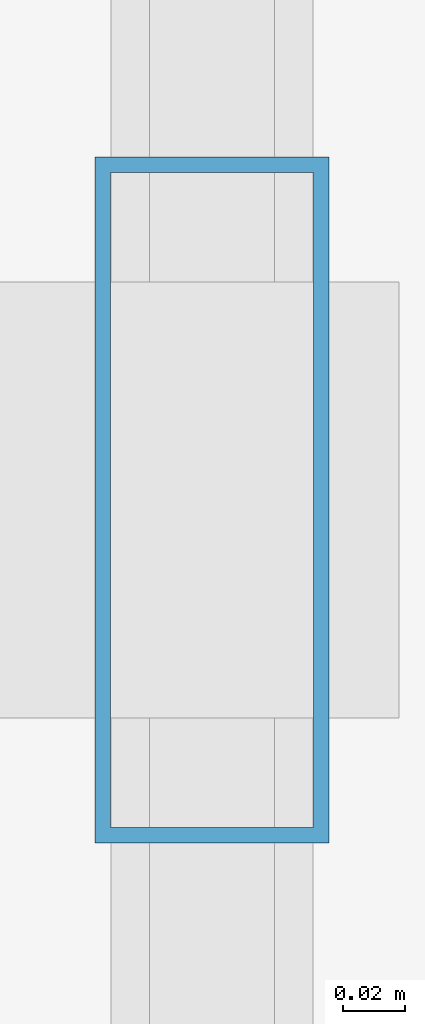
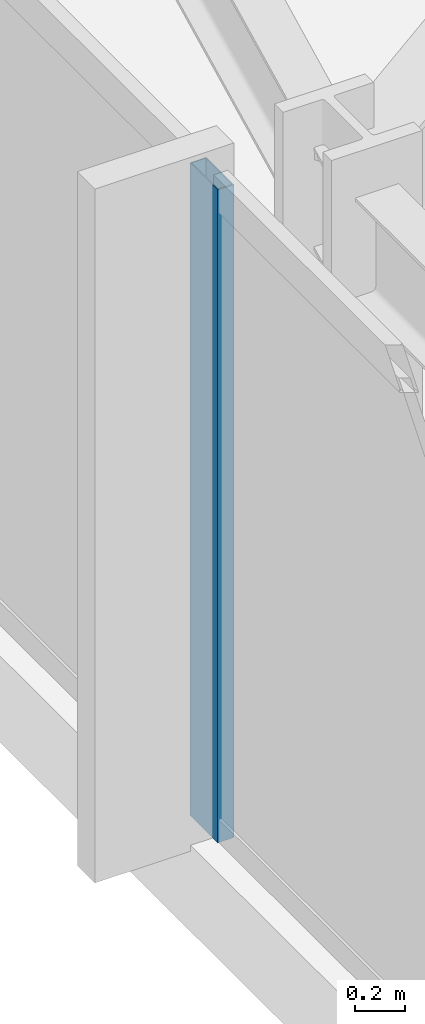
# One storey, part 9 of 31: 1 member, 1 element without a shape of its own.
"""IFC4 building model written with IfcOpenShell, lengths in metres."""

from ifc_helpers import new_model, si_unit, direction, frame, origin, origin_2d, place, context, subcontext, project, spatial, hollow_rectangle, extrude, material, material_profile, profile_set, type_object, element, aggregate, save


model = new_model("IFC4")

# Units and contexts
model_context = context("Model", 3, precision=1e-05, world=origin(), true_north=direction((0.0, 1.0)))
body_context = subcontext(model_context, "Body", "Model", "MODEL_VIEW")
ifc_project = project(units=[si_unit("LENGTHUNIT", "METRE"), si_unit("AREAUNIT", "SQUARE_METRE"), si_unit("VOLUMEUNIT", "CUBIC_METRE"), si_unit("PLANEANGLEUNIT", "RADIAN"), si_unit("MASSUNIT", "GRAM", prefix="KILO")], contexts=[model_context])

# Site, building, storey
site_placement = place(None, origin())
site = spatial("IfcSite", under=ifc_project, at=site_placement, CompositionType="ELEMENT")
building_placement = place(site_placement, origin())
building = spatial("IfcBuilding", under=site, at=building_placement, Name="Yelkora Congress Tower", CompositionType="ELEMENT")
storey_placement = place(building_placement, frame((0.0, 0.0, 30.39990234375)))
storey = spatial("IfcBuildingStorey", under=building, at=storey_placement, Name="L06", CompositionType="ELEMENT", Elevation=30.39990234375)

# Curtain wall, member
ifc_material_1 = material(Name="Anodised aluminium and insulated glass", Category="aluminium")
curtain_wall_type = type_object("IfcCurtainWallType", Name="CW-SYS-B1", PredefinedType="NOTDEFINED", material=ifc_material_1)
curtain_wall_placement = place(storey_placement, origin())
curtain_wall = element("IfcCurtainWall", 1, at=curtain_wall_placement, inside=storey, type_object=curtain_wall_type, Name="L06 Unitised Curtain Wall 5", PredefinedType="NOTDEFINED")
ifc_material_2 = material(Name="Anodised aluminium 6063-T6", Category="aluminium")
ifc_material_profile = material_profile(ifc_material_2, hollow_rectangle(XDim=0.074951171875, YDim=0.219970703125, WallThickness=0.0048828125, at=origin_2d()), Name="ALU 75x220x5")
ifc_profile_set = profile_set([ifc_material_profile], Name="Anodised aluminium 6063-T6")
member_type = type_object("IfcMemberType", Name="MEM-ML-B1", PredefinedType="MULLION", material=ifc_profile_set)
member_placement = place(storey_placement, frame((6.139892578125, 37.72998046875, 0.0), z_axis=(0.0, 0.0, 1.0), x_axis=(-1.0, 0.0, 0.0)))
member = element("IfcMember", 2, at=member_placement, type_object=member_type, Name="CW-B1 mullion 4", PredefinedType="MULLION", context=body_context, shape_type="SweptSolid", body=[
    extrude(hollow_rectangle(XDim=0.074951171875, YDim=0.219970703125, WallThickness=0.0048828125, at=origin_2d()), origin(), (0.0, 0.0, 1.0), 3.18017578125),
])
aggregate(curtain_wall, [member])

save(model, "model.ifc")
